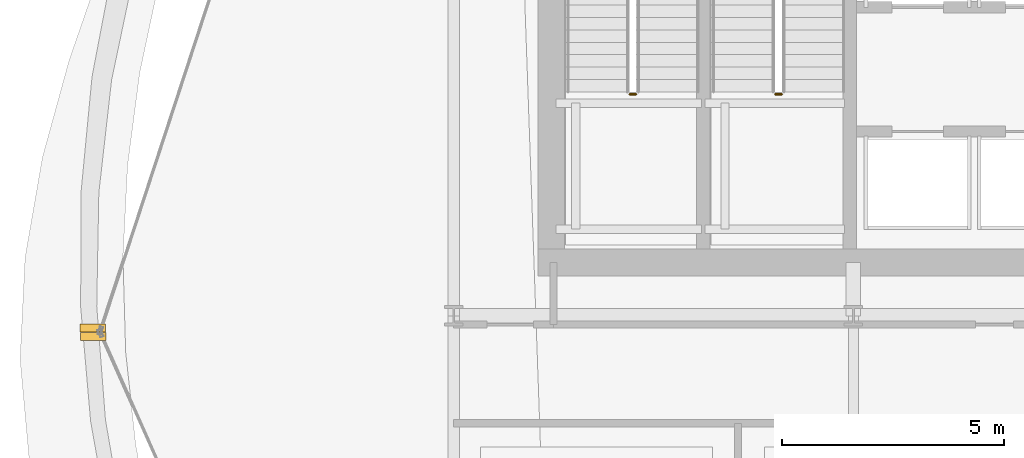
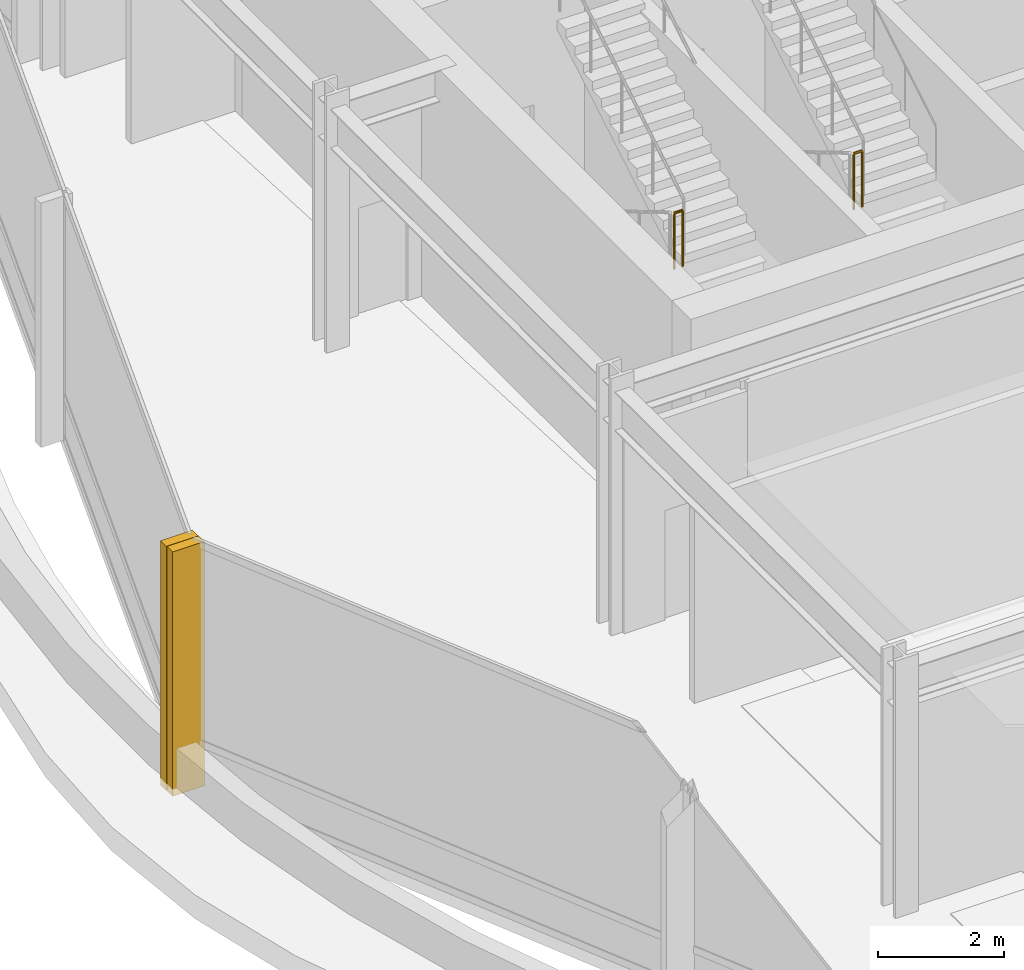
# One storey, part 28 of 33: 2 coverings, 2 railings.
"""IFC4 building model written with IfcOpenShell, lengths in metres."""

from ifc_helpers import new_model, si_unit, direction, frame, origin, origin_2d, place, context, subcontext, project, spatial, rectangle, circle, extrude, material, layer, layer_set, type_object, element, save


model = new_model("IFC4")

# Units and contexts
model_context = context("Model", 3, precision=1e-05, world=origin(), true_north=direction((0.0, 1.0)))
body_context = subcontext(model_context, "Body", "Model", "MODEL_VIEW")
ifc_project = project(units=[si_unit("LENGTHUNIT", "METRE"), si_unit("AREAUNIT", "SQUARE_METRE"), si_unit("VOLUMEUNIT", "CUBIC_METRE"), si_unit("PLANEANGLEUNIT", "RADIAN"), si_unit("MASSUNIT", "GRAM", prefix="KILO")], contexts=[model_context])

# Site, building, storey
site_placement = place(None, origin())
site = spatial("IfcSite", under=ifc_project, at=site_placement, CompositionType="ELEMENT")
building_placement = place(site_placement, origin())
building = spatial("IfcBuilding", under=site, at=building_placement, Name="Solvaryn Broadcast Tower", CompositionType="ELEMENT")
storey_placement = place(building_placement, frame((0.0, 0.0, 105.0)))
storey = spatial("IfcBuildingStorey", under=building, at=storey_placement, Name="L25", CompositionType="ELEMENT", Elevation=105.0)

# Coverings
ifc_material_1 = material(Name="Extruded Architectural Terracotta Fin", Category="masonry")
ifc_layer = layer(ifc_material_1, 0.179931640625)
ifc_layer_set = layer_set([ifc_layer], Name="CV-TC-FIN")
covering_type = type_object("IfcCoveringType", Name="CV-TC-FIN", PredefinedType="USERDEFINED", material=ifc_layer_set)
for number, where, z_axis, x_axis, name in (
    (1, (0.872314453125, 26.720703125, 0.0), (0.0, 0.0, 1.0), (1.0, 0.0, 0.0), "L25 Terracotta Vertical Fin FIN-L25-DR1-M02"),
    (2, (0.8818359375, 26.535888671875, 0.0), (0.0, 0.0, 1.0), (1.0, 0.0, 0.0), "L25 Terracotta Vertical Fin FIN-L25-DR2-M00"),
):
    element("IfcCovering", number, at=place(storey_placement, frame(where, z_axis=z_axis, x_axis=x_axis)), inside=storey, type_object=covering_type, Name=name, ObjectType="FIN", PredefinedType="USERDEFINED", context=body_context, shape_type="SweptSolid", body=[
        extrude(rectangle(XDim=0.580078125, YDim=0.179931640625, at=origin_2d()), origin(), (0.0, 0.0, 1.0), 4.719970703125),
    ])

# Railings
ifc_material_2 = material(Name="Painted Steel Stair Well Guard", Category="steel")
railing_type = type_object("IfcRailingType", Name="RL-STAIR-GUARD", PredefinedType="BALUSTRADE", material=ifc_material_2)
railing_1_placement = place(storey_placement, frame((12.9599609375, 31.989990234375, 2.5)))
element("IfcRailing", 3, at=railing_1_placement, inside=storey, type_object=railing_type, Name="L25 ST1 stair guard 2", PredefinedType="BALUSTRADE", context=body_context, shape_type="SweptSolid", body=[
    extrude(circle(Radius=0.02392578125, at=origin_2d()), frame((0.0, 0.0, 1.076171875), z_axis=(1.0, 0.0, 0.0), x_axis=(0.0, 1.0, 0.0)), (0.0, 0.0, 1.0), 0.150146484375),
    extrude(circle(Radius=0.02099609375, at=origin_2d()), origin(), (0.0, 0.0, 1.0), 1.052001953125),
    extrude(circle(Radius=0.02099609375, at=origin_2d()), frame((0.150146484375, 0.0, 0.0)), (0.0, 0.0, 1.0), 1.052001953125),
])
railing_2_placement = place(storey_placement, frame((16.239990234375, 31.989990234375, 2.5)))
element("IfcRailing", 4, at=railing_2_placement, inside=storey, type_object=railing_type, Name="L25 ST2 stair guard 2", PredefinedType="BALUSTRADE", context=body_context, shape_type="SweptSolid", body=[
    extrude(circle(Radius=0.02392578125, at=origin_2d()), frame((0.0, 0.0, 1.076171875), z_axis=(1.0, 0.0, 0.0), x_axis=(0.0, 1.0, 0.0)), (0.0, 0.0, 1.0), 0.14990234375),
    extrude(circle(Radius=0.02099609375, at=origin_2d()), origin(), (0.0, 0.0, 1.0), 1.052001953125),
    extrude(circle(Radius=0.02099609375, at=origin_2d()), frame((0.14990234375, 0.0, 0.0)), (0.0, 0.0, 1.0), 1.052001953125),
])

save(model, "model.ifc")
